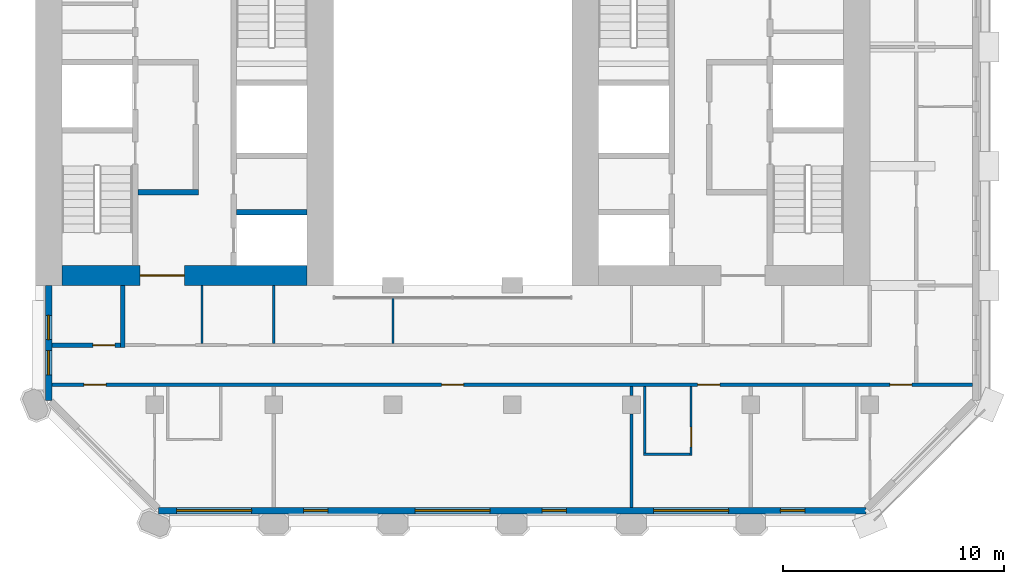
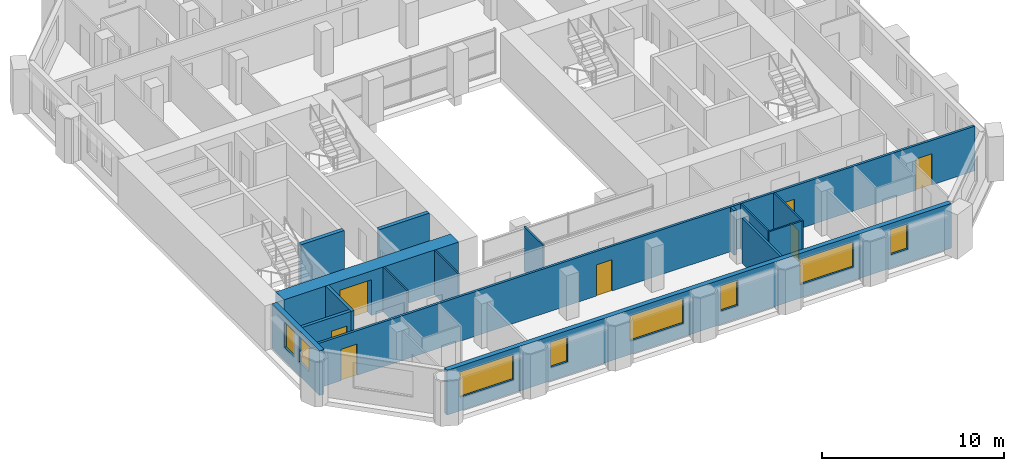
# One storey, part 4 of 12: 16 walls, 8 windows, 7 doors, 15 openings.
"""IFC4 building model written with IfcOpenShell, lengths in metres."""

from ifc_helpers import new_model, si_unit, direction, frame, frame_2d, origin, place, context, subcontext, project, spatial, rectangle, extrude, material, layer, layer_set, type_object, element, fill, save


model = new_model("IFC4")

# Units and contexts
model_context = context("Model", 3, precision=1e-05, world=origin(), true_north=direction((0.0, 1.0)))
body_context = subcontext(model_context, "Body", "Model", "MODEL_VIEW")
ifc_project = project(units=[si_unit("LENGTHUNIT", "METRE"), si_unit("AREAUNIT", "SQUARE_METRE"), si_unit("VOLUMEUNIT", "CUBIC_METRE"), si_unit("PLANEANGLEUNIT", "RADIAN"), si_unit("MASSUNIT", "GRAM", prefix="KILO")], contexts=[model_context])

# Site, building, storey
site_placement = place(None, origin())
site = spatial("IfcSite", under=ifc_project, at=site_placement, CompositionType="ELEMENT")
building_placement = place(site_placement, origin())
building = spatial("IfcBuilding", under=site, at=building_placement, Name="Tabaq Tower and Sports Hall", CompositionType="ELEMENT")
storey_placement = place(building_placement, frame((0.0, 0.0, 193.89990234375)))
storey = spatial("IfcBuildingStorey", under=building, at=storey_placement, Name="L47", CompositionType="ELEMENT", Elevation=193.89990234375)

# Wall, opening, door
ifc_material_1 = material(Name="Concrete C50/60", Category="concrete")
ifc_layer_1 = layer(ifc_material_1, 0.89990234375)
ifc_layer_set_1 = layer_set([ifc_layer_1], Name="Core wall 900 Concrete C50/60")
wall_type_1 = type_object("IfcWallType", Name="Core wall 900 Concrete C50/60", PredefinedType="SOLIDWALL", material=ifc_layer_set_1)
wall_1_placement = place(storey_placement, frame((17.699951171875, 16.64990234375, 0.0), z_axis=(0.0, 0.0, 1.0), x_axis=(-1.0, 0.0, 0.0)))
wall_1 = element("IfcWall", 1, at=wall_1_placement, inside=storey, type_object=wall_type_1, Name="Core wall W L47", PredefinedType="SOLIDWALL", context=body_context, shape_type="SweptSolid", body=[
    extrude(rectangle(XDim=11.099853515625, YDim=0.89990234375, at=frame_2d((5.5498046875, 0.0))), origin(), (0.0, 0.0, 1.0), 3.0),
])
opening_1_placement = place(wall_1_placement, frame((5.550048828125, 0.0, 0.0)))
opening_1 = element("IfcOpeningElement", 2, at=opening_1_placement, cuts=wall_1, Name="Opening PD-WL47-01", PredefinedType="OPENING", context=body_context, shape_type="SweptSolid", body=[
    extrude(rectangle(XDim=2.0, YDim=2.39990234375, at=frame_2d((1.0, 1.199951171875))), frame((0.0, 0.449951171875, 0.0), z_axis=(0.0, -1.0, 0.0), x_axis=(1.0, 0.0, 0.0)), (0.0, 0.0, 1.0), 0.89990234375),
])
ifc_material_2 = material(Name="Steel fire door", Category="steel")
door_type_1 = type_object("IfcDoorType", Name="Core entrance door 2000", OperationType="DOUBLE_DOOR_SINGLE_SWING", PredefinedType="DOOR", material=ifc_material_2)
door_1_placement = place(opening_1_placement, origin())
door_1 = element("IfcDoor", 3, at=door_1_placement, inside=storey, type_object=door_type_1, Name="Core entrance south W L47", OperationType="DOUBLE_DOOR_SINGLE_SWING", OverallHeight=2.39990234375, OverallWidth=2.0, PredefinedType="DOOR", context=body_context, shape_type="SweptSolid", body=[
    extrude(rectangle(XDim=2.0, YDim=2.39990234375, at=frame_2d((1.0, 1.199951171875))), frame((0.0, 0.02490234375, 0.0), z_axis=(0.0, -1.0, 0.0), x_axis=(1.0, 0.0, 0.0)), (0.0, 0.0, 1.0), 0.050048828125),
])
fill(opening_1, door_1)

# Wall
ifc_material_3 = material(Name="Blockwork", Category="masonry")
ifc_layer_2 = layer(ifc_material_3, 0.199951171875)
ifc_layer_set_2 = layer_set([ifc_layer_2], Name="Fire compartment wall 200 Blockwork")
wall_type_2 = type_object("IfcWallType", Name="Fire compartment wall 200 Blockwork", PredefinedType="PARTITIONING", material=ifc_layer_set_2)
wall_2_placement = place(storey_placement, frame((9.35009765625, 16.199951171875, 0.0), z_axis=(0.0, 0.0, 1.0), x_axis=(0.0, -1.0, 0.0)))
element("IfcWall", 4, at=wall_2_placement, inside=storey, type_object=wall_type_2, Name="Compartment wall L47", PredefinedType="PARTITIONING", context=body_context, shape_type="SweptSolid", body=[
    extrude(rectangle(XDim=2.800048828125, YDim=0.199951171875, at=frame_2d((1.39990234375, 0.0))), origin(), (0.0, 0.0, 1.0), 3.0),
])

# Wall, opening, door
wall_3_placement = place(storey_placement, frame((9.25, 13.5, 0.0), z_axis=(0.0, 0.0, 1.0), x_axis=(-1.0, 0.0, 0.0)))
wall_3 = element("IfcWall", 5, at=wall_3_placement, inside=storey, type_object=wall_type_2, Name="Compartment wall L47", PredefinedType="PARTITIONING", context=body_context, shape_type="SweptSolid", body=[
    extrude(rectangle(XDim=3.09912109375, YDim=0.199951171875, at=frame_2d((1.549560546875, 0.0))), origin(), (0.0, 0.0, 1.0), 3.0),
])
opening_2_placement = place(wall_3_placement, frame((0.25, 0.0, 0.0)))
opening_2 = element("IfcOpeningElement", 6, at=opening_2_placement, cuts=wall_3, Name="Opening L47-021", PredefinedType="OPENING", context=body_context, shape_type="SweptSolid", body=[
    extrude(rectangle(XDim=1.0, YDim=2.10009765625, at=frame_2d((0.5, 1.050048828125))), frame((0.0, 0.10009765625, 0.0), z_axis=(0.0, -1.0, 0.0), x_axis=(1.0, 0.0, 0.0)), (0.0, 0.0, 1.0), 0.199951171875),
])
ifc_material_4 = material(Name="Steel fire door", Category="steel")
door_type_2 = type_object("IfcDoorType", Name="Riser door 1000 right hand", OperationType="SINGLE_SWING_RIGHT", PredefinedType="DOOR", material=ifc_material_4)
door_2_placement = place(opening_2_placement, origin())
door_2 = element("IfcDoor", 7, at=door_2_placement, inside=storey, type_object=door_type_2, Name="Riser door L47-021", OperationType="SINGLE_SWING_RIGHT", OverallHeight=2.10009765625, OverallWidth=1.0, PredefinedType="DOOR", context=body_context, shape_type="SweptSolid", body=[
    extrude(rectangle(XDim=1.0, YDim=2.10009765625, at=frame_2d((0.5, 1.050048828125))), frame((0.0, 0.02490234375, 0.0), z_axis=(0.0, -1.0, 0.0), x_axis=(1.0, 0.0, 0.0)), (0.0, 0.0, 1.0), 0.050048828125),
])
fill(opening_2, door_2)

ifc_material_5 = material(Name="Gypsum board on steel studs", Category="steel")
ifc_layer_3 = layer(ifc_material_5, 0.10009765625)
ifc_layer_set_3 = layer_set([ifc_layer_3], Name="Partition 100 Gypsum board")
wall_type_3 = type_object("IfcWallType", Name="Partition 100 Gypsum board", PredefinedType="PARTITIONING", material=ifc_layer_set_3)
wall_4_placement = place(storey_placement, frame((35.10009765625, 11.625, 0.0), z_axis=(0.0, 0.0, 1.0), x_axis=(0.0, -1.0, 0.0)))
wall_4 = element("IfcWall", 8, at=wall_4_placement, inside=storey, type_object=wall_type_3, Name="Partition wall L47", PredefinedType="PARTITIONING", context=body_context, shape_type="SweptSolid", body=[
    extrude(rectangle(XDim=3.125, YDim=0.10009765625, at=frame_2d((1.5625, 0.0))), origin(), (0.0, 0.0, 1.0), 3.0),
])
opening_3_placement = place(wall_4_placement, frame((1.83740234375, 0.0, 0.0)))
opening_3 = element("IfcOpeningElement", 9, at=opening_3_placement, cuts=wall_4, Name="Opening L47-016", PredefinedType="OPENING", context=body_context, shape_type="SweptSolid", body=[
    extrude(rectangle(XDim=0.89990234375, YDim=2.10009765625, at=frame_2d((0.449951171875, 1.050048828125))), frame((0.0, 0.050048828125, 0.0), z_axis=(0.0, -1.0, 0.0), x_axis=(1.0, 0.0, 0.0)), (0.0, 0.0, 1.0), 0.10009765625),
])
ifc_material_6 = material(Name="Timber leaf in steel frame", Category="steel")
door_type_3 = type_object("IfcDoorType", Name="Internal door 900 left hand", OperationType="SINGLE_SWING_LEFT", PredefinedType="DOOR", material=ifc_material_6)
door_3_placement = place(opening_3_placement, origin())
door_3 = element("IfcDoor", 10, at=door_3_placement, inside=storey, type_object=door_type_3, Name="Internal door L47-016", OperationType="SINGLE_SWING_LEFT", OverallHeight=2.10009765625, OverallWidth=0.89990234375, PredefinedType="DOOR", context=body_context, shape_type="SweptSolid", body=[
    extrude(rectangle(XDim=0.89990234375, YDim=2.10009765625, at=frame_2d((0.449951171875, 1.050048828125))), frame((0.0, 0.02490234375, 0.0), z_axis=(0.0, -1.0, 0.0), x_axis=(1.0, 0.0, 0.0)), (0.0, 0.0, 1.0), 0.050048828125),
])
fill(opening_3, door_3)

# Walls
wall_5_placement = place(storey_placement, frame((35.050048828125, 8.550048828125, 0.0), z_axis=(0.0, 0.0, 1.0), x_axis=(-1.0, 0.0, 0.0)))
element("IfcWall", 11, at=wall_5_placement, inside=storey, type_object=wall_type_3, Name="Partition wall L47", PredefinedType="PARTITIONING", context=body_context, shape_type="SweptSolid", body=[
    extrude(rectangle(XDim=2.10009765625, YDim=0.10009765625, at=frame_2d((1.050048828125, 0.0))), origin(), (0.0, 0.0, 1.0), 3.0),
])
wall_6_placement = place(storey_placement, frame((33.0, 8.60009765625, 0.0), z_axis=(0.0, 0.0, 1.0), x_axis=(0.0, 1.0, 0.0)))
element("IfcWall", 12, at=wall_6_placement, inside=storey, type_object=wall_type_3, Name="Partition wall L47", PredefinedType="PARTITIONING", context=body_context, shape_type="SweptSolid", body=[
    extrude(rectangle(XDim=3.02490234375, YDim=0.10009765625, at=frame_2d((1.512451171875, 0.0))), origin(), (0.0, 0.0, 1.0), 3.0),
])
wall_7_placement = place(storey_placement, frame((16.199951171875, 16.199951171875, 0.0), z_axis=(0.0, 0.0, 1.0), x_axis=(0.0, -1.0, 0.0)))
element("IfcWall", 13, at=wall_7_placement, inside=storey, type_object=wall_type_3, Name="Partition wall L47", PredefinedType="PARTITIONING", context=body_context, shape_type="SweptSolid", body=[
    extrude(rectangle(XDim=2.625, YDim=0.10009765625, at=frame_2d((1.3125, 0.0))), origin(), (0.0, 0.0, 1.0), 3.0),
])
wall_8_placement = place(storey_placement, frame((21.60009765625, 13.574951171875, 0.0), z_axis=(0.0, 0.0, 1.0), x_axis=(0.0, 1.0, 0.0)))
element("IfcWall", 14, at=wall_8_placement, inside=storey, type_object=wall_type_3, Name="Partition wall L47", PredefinedType="PARTITIONING", context=body_context, shape_type="SweptSolid", body=[
    extrude(rectangle(XDim=2.130126953125, YDim=0.10009765625, at=frame_2d((1.06494140625, 0.0))), origin(), (0.0, 0.0, 1.0), 3.0),
])
wall_9_placement = place(storey_placement, frame((12.949951171875, 13.574951171875, 0.0), z_axis=(0.0, 0.0, 1.0), x_axis=(0.0, 1.0, 0.0)))
element("IfcWall", 15, at=wall_9_placement, inside=storey, type_object=wall_type_3, Name="Partition wall L47", PredefinedType="PARTITIONING", context=body_context, shape_type="SweptSolid", body=[
    extrude(rectangle(XDim=2.625, YDim=0.10009765625, at=frame_2d((1.3125, 0.0))), origin(), (0.0, 0.0, 1.0), 3.0),
])
ifc_material_7 = material(Name="Blockwork", Category="masonry")
ifc_layer_4 = layer(ifc_material_7, 0.14990234375)
ifc_layer_set_4 = layer_set([ifc_layer_4], Name="Separating wall 150 Blockwork")
wall_type_4 = type_object("IfcWallType", Name="Separating wall 150 Blockwork", PredefinedType="PARTITIONING", material=ifc_layer_set_4)
wall_10_placement = place(storey_placement, frame((32.39990234375, 6.15087890625, 0.0), z_axis=(0.0, 0.0, 1.0), x_axis=(0.0, 1.0, 0.0)))
element("IfcWall", 16, at=wall_10_placement, inside=storey, type_object=wall_type_4, Name="Separating wall L47", PredefinedType="PARTITIONING", context=body_context, shape_type="SweptSolid", body=[
    extrude(rectangle(XDim=4.22900390625, YDim=0.14990234375, at=frame_2d((2.114501953125, 0.0))), origin(), (0.0, 0.0, 1.0), 3.0),
])
wall_11_placement = place(storey_placement, frame((32.39990234375, 11.219970703125, 0.0), z_axis=(0.0, 0.0, 1.0), x_axis=(0.0, 1.0, 0.0)))
element("IfcWall", 17, at=wall_11_placement, inside=storey, type_object=wall_type_4, Name="Separating wall L47", PredefinedType="PARTITIONING", context=body_context, shape_type="SweptSolid", body=[
    extrude(rectangle(XDim=0.405029296875, YDim=0.14990234375, at=frame_2d((0.20263671875, 0.0))), origin(), (0.0, 0.0, 1.0), 3.0),
])

# Wall, openings, doors
wall_12_placement = place(storey_placement, frame((6.15087890625, 11.699951171875, 0.0), z_axis=(0.0, 0.0, 1.0), x_axis=(1.0, 0.0, 0.0)))
wall_12 = element("IfcWall", 18, at=wall_12_placement, inside=storey, type_object=wall_type_4, Name="Separating wall L47", PredefinedType="PARTITIONING", context=body_context, shape_type="SweptSolid", body=[
    extrude(rectangle(XDim=41.6982421875, YDim=0.14990234375, at=frame_2d((20.84912109375, 0.0))), origin(), (0.0, 0.0, 1.0), 3.0),
])
opening_4_placement = place(wall_12_placement, frame((17.64892578125, 0.0, 0.0)))
opening_4 = element("IfcOpeningElement", 19, at=opening_4_placement, cuts=wall_12, Name="Opening L47-015", PredefinedType="OPENING", context=body_context, shape_type="SweptSolid", body=[
    extrude(rectangle(XDim=1.0, YDim=2.10009765625, at=frame_2d((0.5, 1.050048828125))), frame((0.0, 0.074951171875, 0.0), z_axis=(0.0, -1.0, 0.0), x_axis=(1.0, 0.0, 0.0)), (0.0, 0.0, 1.0), 0.14990234375),
])
opening_5_placement = place(wall_12_placement, frame((1.448974609375, 0.0, 0.0)))
opening_5 = element("IfcOpeningElement", 20, at=opening_5_placement, cuts=wall_12, Name="Opening L47-035", PredefinedType="OPENING", context=body_context, shape_type="SweptSolid", body=[
    extrude(rectangle(XDim=1.0, YDim=2.10009765625, at=frame_2d((0.5, 1.050048828125))), frame((0.0, 0.074951171875, 0.0), z_axis=(0.0, -1.0, 0.0), x_axis=(1.0, 0.0, 0.0)), (0.0, 0.0, 1.0), 0.14990234375),
])
opening_6_placement = place(wall_12_placement, frame((29.2490234375, 0.0, 0.0)))
opening_6 = element("IfcOpeningElement", 21, at=opening_6_placement, cuts=wall_12, Name="Opening L47-036", PredefinedType="OPENING", context=body_context, shape_type="SweptSolid", body=[
    extrude(rectangle(XDim=1.0, YDim=2.10009765625, at=frame_2d((0.5, 1.050048828125))), frame((0.0, 0.074951171875, 0.0), z_axis=(0.0, -1.0, 0.0), x_axis=(1.0, 0.0, 0.0)), (0.0, 0.0, 1.0), 0.14990234375),
])
opening_7_placement = place(wall_12_placement, frame((37.9541015625, 0.0, 0.0)))
opening_7 = element("IfcOpeningElement", 22, at=opening_7_placement, cuts=wall_12, Name="Opening L47-038", PredefinedType="OPENING", context=body_context, shape_type="SweptSolid", body=[
    extrude(rectangle(XDim=1.0, YDim=2.10009765625, at=frame_2d((0.5, 1.050048828125))), frame((0.0, 0.074951171875, 0.0), z_axis=(0.0, -1.0, 0.0), x_axis=(1.0, 0.0, 0.0)), (0.0, 0.0, 1.0), 0.14990234375),
])
ifc_material_8 = material(Name="Steel fire door", Category="steel")
door_type_4 = type_object("IfcDoorType", Name="Entrance door 1000 left hand", OperationType="SINGLE_SWING_LEFT", PredefinedType="DOOR", material=ifc_material_8)
door_4_placement = place(opening_5_placement, origin())
door_4 = element("IfcDoor", 23, at=door_4_placement, inside=storey, type_object=door_type_4, Name="Entrance door L47-035", OperationType="SINGLE_SWING_LEFT", OverallHeight=2.10009765625, OverallWidth=1.0, PredefinedType="DOOR", context=body_context, shape_type="SweptSolid", body=[
    extrude(rectangle(XDim=1.0, YDim=2.10009765625, at=frame_2d((0.5, 1.050048828125))), frame((0.0, 0.02490234375, 0.0), z_axis=(0.0, -1.0, 0.0), x_axis=(1.0, 0.0, 0.0)), (0.0, 0.0, 1.0), 0.050048828125),
])
fill(opening_5, door_4)
door_5_placement = place(opening_6_placement, origin())
door_5 = element("IfcDoor", 24, at=door_5_placement, inside=storey, type_object=door_type_4, Name="Entrance door L47-036", OperationType="SINGLE_SWING_LEFT", OverallHeight=2.10009765625, OverallWidth=1.0, PredefinedType="DOOR", context=body_context, shape_type="SweptSolid", body=[
    extrude(rectangle(XDim=1.0, YDim=2.10009765625, at=frame_2d((0.5, 1.050048828125))), frame((0.0, 0.02490234375, 0.0), z_axis=(0.0, -1.0, 0.0), x_axis=(1.0, 0.0, 0.0)), (0.0, 0.0, 1.0), 0.050048828125),
])
fill(opening_6, door_5)
door_6_placement = place(opening_7_placement, origin())
door_6 = element("IfcDoor", 25, at=door_6_placement, inside=storey, type_object=door_type_4, Name="Entrance door L47-038", OperationType="SINGLE_SWING_LEFT", OverallHeight=2.10009765625, OverallWidth=1.0, PredefinedType="DOOR", context=body_context, shape_type="SweptSolid", body=[
    extrude(rectangle(XDim=1.0, YDim=2.10009765625, at=frame_2d((0.5, 1.050048828125))), frame((0.0, 0.02490234375, 0.0), z_axis=(0.0, -1.0, 0.0), x_axis=(1.0, 0.0, 0.0)), (0.0, 0.0, 1.0), 0.050048828125),
])
fill(opening_7, door_6)
ifc_material_9 = material(Name="Timber leaf in steel frame", Category="steel")
door_type_5 = type_object("IfcDoorType", Name="Internal door 1000 right hand", OperationType="SINGLE_SWING_RIGHT", PredefinedType="DOOR", material=ifc_material_9)
door_7_placement = place(opening_4_placement, origin())
door_7 = element("IfcDoor", 26, at=door_7_placement, inside=storey, type_object=door_type_5, Name="Internal door L47-015", OperationType="SINGLE_SWING_RIGHT", OverallHeight=2.10009765625, OverallWidth=1.0, PredefinedType="DOOR", context=body_context, shape_type="SweptSolid", body=[
    extrude(rectangle(XDim=1.0, YDim=2.10009765625, at=frame_2d((0.5, 1.050048828125))), frame((0.0, 0.02490234375, 0.0), z_axis=(0.0, -1.0, 0.0), x_axis=(1.0, 0.0, 0.0)), (0.0, 0.0, 1.0), 0.050048828125),
])
fill(opening_4, door_7)

# Walls
ifc_material_10 = material(Name="Concrete C40/50", Category="concrete")
ifc_layer_5 = layer(ifc_material_10, 0.25)
ifc_layer_set_5 = layer_set([ifc_layer_5], Name="Shaft and stair wall 250 Concrete C40/50")
wall_type_5 = type_object("IfcWallType", Name="Shaft and stair wall 250 Concrete C40/50", PredefinedType="SOLIDWALL", material=ifc_layer_set_5)
wall_13_placement = place(storey_placement, frame((10.050048828125, 20.425048828125, 0.0), z_axis=(0.0, 0.0, 1.0), x_axis=(1.0, 0.0, 0.0)))
element("IfcWall", 27, at=wall_13_placement, inside=storey, type_object=wall_type_5, Name="Fire-fighting lobby wall W L47", PredefinedType="SOLIDWALL", context=body_context, shape_type="SweptSolid", body=[
    extrude(rectangle(XDim=2.75, YDim=0.25, at=frame_2d((1.375, 0.0))), origin(), (0.0, 0.0, 1.0), 3.0),
])
wall_14_placement = place(storey_placement, frame((14.5, 19.52490234375, 0.0), z_axis=(0.0, 0.0, 1.0), x_axis=(1.0, 0.0, 0.0)))
element("IfcWall", 28, at=wall_14_placement, inside=storey, type_object=wall_type_5, Name="Shaft wall W L47", PredefinedType="SOLIDWALL", context=body_context, shape_type="SweptSolid", body=[
    extrude(rectangle(XDim=3.199951171875, YDim=0.25, at=frame_2d((1.60009765625, 0.0))), origin(), (0.0, 0.0, 1.0), 3.0),
])

# Wall, openings, windows
ifc_material_11 = material(Name="White precast concrete C60/75", Category="concrete")
ifc_layer_6 = layer(ifc_material_11, 0.300048828125)
ifc_layer_set_6 = layer_set([ifc_layer_6], Name="White precast concrete C60/75 external wall 300")
wall_type_6 = type_object("IfcWallType", Name="White precast concrete C60/75 external wall 300", PredefinedType="SOLIDWALL", material=ifc_layer_set_6)
wall_15_placement = place(storey_placement, frame((10.986328125, 6.0, 0.0), z_axis=(0.0, 0.0, 1.0), x_axis=(1.0, 0.0, 0.0)))
wall_15 = element("IfcWall", 29, at=wall_15_placement, inside=storey, type_object=wall_type_6, Name="External Wall L47 S", PredefinedType="SOLIDWALL", context=body_context, shape_type="SweptSolid", body=[
    extrude(rectangle(XDim=32.02734375, YDim=0.300048828125, at=frame_2d((16.013671875, 0.0))), origin(), (0.0, 0.0, 1.0), 3.0),
])
opening_8_placement = place(wall_15_placement, frame((0.813720703125, 0.0, 0.89990234375)))
opening_8 = element("IfcOpeningElement", 30, at=opening_8_placement, cuts=wall_15, Name="Opening W1A", PredefinedType="OPENING", context=body_context, shape_type="SweptSolid", body=[
    extrude(rectangle(XDim=3.39990234375, YDim=1.699951171875, at=frame_2d((1.699951171875, 0.85009765625))), frame((0.0, 0.16015625, 0.0), z_axis=(0.0, -1.0, 0.0), x_axis=(1.0, 0.0, 0.0)), (0.0, 0.0, 1.0), 0.320068359375),
])
opening_9_placement = place(wall_15_placement, frame((6.563720703125, 0.0, 0.89990234375)))
opening_9 = element("IfcOpeningElement", 31, at=opening_9_placement, cuts=wall_15, Name="Opening W1B", PredefinedType="OPENING", context=body_context, shape_type="SweptSolid", body=[
    extrude(rectangle(XDim=1.10009765625, YDim=1.699951171875, at=frame_2d((0.550048828125, 0.85009765625))), frame((0.0, 0.16015625, 0.0), z_axis=(0.0, -1.0, 0.0), x_axis=(1.0, 0.0, 0.0)), (0.0, 0.0, 1.0), 0.320068359375),
])
opening_10_placement = place(wall_15_placement, frame((11.613525390625, 0.0, 0.89990234375)))
opening_10 = element("IfcOpeningElement", 32, at=opening_10_placement, cuts=wall_15, Name="Opening W1A", PredefinedType="OPENING", context=body_context, shape_type="SweptSolid", body=[
    extrude(rectangle(XDim=3.39990234375, YDim=1.699951171875, at=frame_2d((1.699951171875, 0.85009765625))), frame((0.0, 0.16015625, 0.0), z_axis=(0.0, -1.0, 0.0), x_axis=(1.0, 0.0, 0.0)), (0.0, 0.0, 1.0), 0.320068359375),
])
opening_11_placement = place(wall_15_placement, frame((17.363525390625, 0.0, 0.89990234375)))
opening_11 = element("IfcOpeningElement", 33, at=opening_11_placement, cuts=wall_15, Name="Opening W1B", PredefinedType="OPENING", context=body_context, shape_type="SweptSolid", body=[
    extrude(rectangle(XDim=1.10009765625, YDim=1.699951171875, at=frame_2d((0.550048828125, 0.85009765625))), frame((0.0, 0.16015625, 0.0), z_axis=(0.0, -1.0, 0.0), x_axis=(1.0, 0.0, 0.0)), (0.0, 0.0, 1.0), 0.320068359375),
])
opening_12_placement = place(wall_15_placement, frame((22.41357421875, 0.0, 0.89990234375)))
opening_12 = element("IfcOpeningElement", 34, at=opening_12_placement, cuts=wall_15, Name="Opening W1A", PredefinedType="OPENING", context=body_context, shape_type="SweptSolid", body=[
    extrude(rectangle(XDim=3.39990234375, YDim=1.699951171875, at=frame_2d((1.699951171875, 0.85009765625))), frame((0.0, 0.16015625, 0.0), z_axis=(0.0, -1.0, 0.0), x_axis=(1.0, 0.0, 0.0)), (0.0, 0.0, 1.0), 0.320068359375),
])
opening_13_placement = place(wall_15_placement, frame((28.16357421875, 0.0, 0.89990234375)))
opening_13 = element("IfcOpeningElement", 35, at=opening_13_placement, cuts=wall_15, Name="Opening W1B", PredefinedType="OPENING", context=body_context, shape_type="SweptSolid", body=[
    extrude(rectangle(XDim=1.10009765625, YDim=1.699951171875, at=frame_2d((0.550048828125, 0.85009765625))), frame((0.0, 0.16015625, 0.0), z_axis=(0.0, -1.0, 0.0), x_axis=(1.0, 0.0, 0.0)), (0.0, 0.0, 1.0), 0.320068359375),
])
ifc_material_12 = material(Name="Aluminium framed clear glazing", Category="aluminium")
window_type_1 = type_object("IfcWindowType", Name="Window W1A", PartitioningType="SINGLE_PANEL", PredefinedType="WINDOW", material=ifc_material_12)
window_1_placement = place(opening_8_placement, origin())
window_1 = element("IfcWindow", 36, at=window_1_placement, inside=storey, type_object=window_type_1, Name="Window W1A L47", OverallHeight=1.699951171875, OverallWidth=3.39990234375, PartitioningType="SINGLE_PANEL", PredefinedType="WINDOW", context=body_context, shape_type="SweptSolid", body=[
    extrude(rectangle(XDim=3.39990234375, YDim=1.699951171875, at=frame_2d((1.699951171875, 0.85009765625))), frame((0.0, 0.030029296875, 0.0), z_axis=(0.0, -1.0, 0.0), x_axis=(1.0, 0.0, 0.0)), (0.0, 0.0, 1.0), 0.06005859375),
])
fill(opening_8, window_1)
window_2_placement = place(opening_10_placement, origin())
window_2 = element("IfcWindow", 37, at=window_2_placement, inside=storey, type_object=window_type_1, Name="Window W1A L47", OverallHeight=1.699951171875, OverallWidth=3.39990234375, PartitioningType="SINGLE_PANEL", PredefinedType="WINDOW", context=body_context, shape_type="SweptSolid", body=[
    extrude(rectangle(XDim=3.39990234375, YDim=1.699951171875, at=frame_2d((1.699951171875, 0.85009765625))), frame((0.0, 0.030029296875, 0.0), z_axis=(0.0, -1.0, 0.0), x_axis=(1.0, 0.0, 0.0)), (0.0, 0.0, 1.0), 0.06005859375),
])
fill(opening_10, window_2)
window_3_placement = place(opening_12_placement, origin())
window_3 = element("IfcWindow", 38, at=window_3_placement, inside=storey, type_object=window_type_1, Name="Window W1A L47", OverallHeight=1.699951171875, OverallWidth=3.39990234375, PartitioningType="SINGLE_PANEL", PredefinedType="WINDOW", context=body_context, shape_type="SweptSolid", body=[
    extrude(rectangle(XDim=3.39990234375, YDim=1.699951171875, at=frame_2d((1.699951171875, 0.85009765625))), frame((0.0, 0.030029296875, 0.0), z_axis=(0.0, -1.0, 0.0), x_axis=(1.0, 0.0, 0.0)), (0.0, 0.0, 1.0), 0.06005859375),
])
fill(opening_12, window_3)
ifc_material_13 = material(Name="Aluminium framed clear glazing", Category="aluminium")
window_type_2 = type_object("IfcWindowType", Name="Window W1B", PartitioningType="SINGLE_PANEL", PredefinedType="WINDOW", material=ifc_material_13)
window_4_placement = place(opening_9_placement, origin())
window_4 = element("IfcWindow", 39, at=window_4_placement, inside=storey, type_object=window_type_2, Name="Window W1B L47", OverallHeight=1.699951171875, OverallWidth=1.10009765625, PartitioningType="SINGLE_PANEL", PredefinedType="WINDOW", context=body_context, shape_type="SweptSolid", body=[
    extrude(rectangle(XDim=1.10009765625, YDim=1.699951171875, at=frame_2d((0.550048828125, 0.85009765625))), frame((0.0, 0.030029296875, 0.0), z_axis=(0.0, -1.0, 0.0), x_axis=(1.0, 0.0, 0.0)), (0.0, 0.0, 1.0), 0.06005859375),
])
fill(opening_9, window_4)
window_5_placement = place(opening_11_placement, origin())
window_5 = element("IfcWindow", 40, at=window_5_placement, inside=storey, type_object=window_type_2, Name="Window W1B L47", OverallHeight=1.699951171875, OverallWidth=1.10009765625, PartitioningType="SINGLE_PANEL", PredefinedType="WINDOW", context=body_context, shape_type="SweptSolid", body=[
    extrude(rectangle(XDim=1.10009765625, YDim=1.699951171875, at=frame_2d((0.550048828125, 0.85009765625))), frame((0.0, 0.030029296875, 0.0), z_axis=(0.0, -1.0, 0.0), x_axis=(1.0, 0.0, 0.0)), (0.0, 0.0, 1.0), 0.06005859375),
])
fill(opening_11, window_5)
window_6_placement = place(opening_13_placement, origin())
window_6 = element("IfcWindow", 41, at=window_6_placement, inside=storey, type_object=window_type_2, Name="Window W1B L47", OverallHeight=1.699951171875, OverallWidth=1.10009765625, PartitioningType="SINGLE_PANEL", PredefinedType="WINDOW", context=body_context, shape_type="SweptSolid", body=[
    extrude(rectangle(XDim=1.10009765625, YDim=1.699951171875, at=frame_2d((0.550048828125, 0.85009765625))), frame((0.0, 0.030029296875, 0.0), z_axis=(0.0, -1.0, 0.0), x_axis=(1.0, 0.0, 0.0)), (0.0, 0.0, 1.0), 0.06005859375),
])
fill(opening_13, window_6)

wall_16_placement = place(storey_placement, frame((6.0, 16.199951171875, 0.0), z_axis=(0.0, 0.0, 1.0), x_axis=(0.0, -1.0, 0.0)))
wall_16 = element("IfcWall", 42, at=wall_16_placement, inside=storey, type_object=wall_type_6, Name="External Wall L47 W", PredefinedType="SOLIDWALL", context=body_context, shape_type="SweptSolid", body=[
    extrude(rectangle(XDim=5.213623046875, YDim=0.300048828125, at=frame_2d((2.60693359375, 0.0))), origin(), (0.0, 0.0, 1.0), 3.0),
])
opening_14_placement = place(wall_16_placement, frame((1.35009765625, 0.0, 0.89990234375)))
opening_14 = element("IfcOpeningElement", 43, at=opening_14_placement, cuts=wall_16, Name="Opening W1B", PredefinedType="OPENING", context=body_context, shape_type="SweptSolid", body=[
    extrude(rectangle(XDim=1.10009765625, YDim=1.699951171875, at=frame_2d((0.550048828125, 0.85009765625))), frame((0.0, 0.16015625, 0.0), z_axis=(0.0, -1.0, 0.0), x_axis=(1.0, 0.0, 0.0)), (0.0, 0.0, 1.0), 0.320068359375),
])
opening_15_placement = place(wall_16_placement, frame((2.949951171875, 0.0, 0.89990234375)))
opening_15 = element("IfcOpeningElement", 44, at=opening_15_placement, cuts=wall_16, Name="Opening W1B", PredefinedType="OPENING", context=body_context, shape_type="SweptSolid", body=[
    extrude(rectangle(XDim=1.10009765625, YDim=1.699951171875, at=frame_2d((0.550048828125, 0.85009765625))), frame((0.0, 0.16015625, 0.0), z_axis=(0.0, -1.0, 0.0), x_axis=(1.0, 0.0, 0.0)), (0.0, 0.0, 1.0), 0.320068359375),
])
window_7_placement = place(opening_14_placement, origin())
window_7 = element("IfcWindow", 45, at=window_7_placement, inside=storey, type_object=window_type_2, Name="Window W1B L47", OverallHeight=1.699951171875, OverallWidth=1.10009765625, PartitioningType="SINGLE_PANEL", PredefinedType="WINDOW", context=body_context, shape_type="SweptSolid", body=[
    extrude(rectangle(XDim=1.10009765625, YDim=1.699951171875, at=frame_2d((0.550048828125, 0.85009765625))), frame((0.0, 0.030029296875, 0.0), z_axis=(0.0, -1.0, 0.0), x_axis=(1.0, 0.0, 0.0)), (0.0, 0.0, 1.0), 0.06005859375),
])
fill(opening_14, window_7)
window_8_placement = place(opening_15_placement, origin())
window_8 = element("IfcWindow", 46, at=window_8_placement, inside=storey, type_object=window_type_2, Name="Window W1B L47", OverallHeight=1.699951171875, OverallWidth=1.10009765625, PartitioningType="SINGLE_PANEL", PredefinedType="WINDOW", context=body_context, shape_type="SweptSolid", body=[
    extrude(rectangle(XDim=1.10009765625, YDim=1.699951171875, at=frame_2d((0.550048828125, 0.85009765625))), frame((0.0, 0.030029296875, 0.0), z_axis=(0.0, -1.0, 0.0), x_axis=(1.0, 0.0, 0.0)), (0.0, 0.0, 1.0), 0.06005859375),
])
fill(opening_15, window_8)

save(model, "model.ifc")
